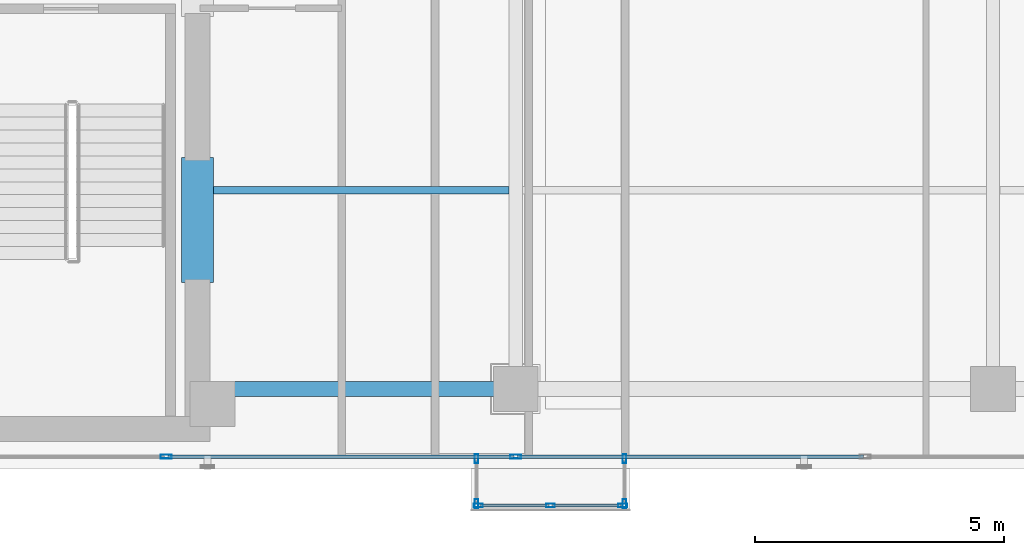
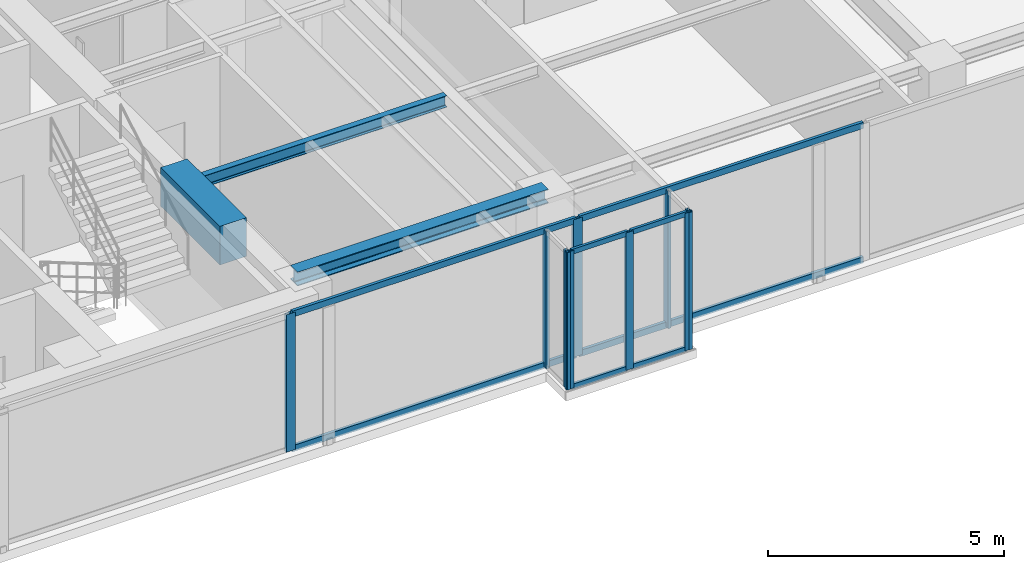
# One storey, part 4 of 22: 17 members, 3 beams, 4 elements without a shape of their own.
"""IFC4 building model written with IfcOpenShell, lengths in metres."""

from ifc_helpers import new_model, si_unit, direction, frame, origin, origin_with_axes, origin_2d, place, context, subcontext, project, spatial, rectangle, hollow_rectangle, i_section, extrude, source, transform, mapped, material, layer, layer_set, material_profile, profile_set, type_object, element, aggregate, save


model = new_model("IFC4")

# Units and contexts
model_context = context("Model", 3, precision=1e-05, world=origin(), true_north=direction((0.0, 1.0)))
body_context = subcontext(model_context, "Body", "Model", "MODEL_VIEW")
ifc_project = project(units=[si_unit("LENGTHUNIT", "METRE"), si_unit("AREAUNIT", "SQUARE_METRE"), si_unit("VOLUMEUNIT", "CUBIC_METRE"), si_unit("PLANEANGLEUNIT", "RADIAN"), si_unit("MASSUNIT", "GRAM", prefix="KILO")], contexts=[model_context])

# Site, building, storey
site_placement = place(None, origin())
site = spatial("IfcSite", under=ifc_project, at=site_placement, CompositionType="ELEMENT")
building_placement = place(site_placement, origin())
building = spatial("IfcBuilding", under=site, at=building_placement, Name="Kolvaren Waterfront Exchange", CompositionType="ELEMENT")
storey_placement = place(building_placement, frame((0.0, 0.0, 262.800048828125)))
storey = spatial("IfcBuildingStorey", under=building, at=storey_placement, Name="L67", CompositionType="ELEMENT", Elevation=262.800048828125)

# Beams
ifc_material_1 = material(Name="Steel S355", Category="steel")
ifc_material_profile_1 = material_profile(ifc_material_1, i_section(OverallWidth=0.300048828125, OverallDepth=0.360107421875, WebThickness=0.012451171875, FlangeThickness=0.0224609375, FilletRadius=0.027099609375, at=origin_2d()), Name="HEB360")
ifc_profile_set_1 = profile_set([ifc_material_profile_1], Name="Steel S355")
beam_type_1 = type_object("IfcBeamType", Name="STR-BM-HEB360", PredefinedType="SPANDREL", material=ifc_profile_set_1)
beam_1_placement = place(storey_placement, frame((21.050048828125, 5.199951171875, 3.3798828125), z_axis=(1.0, 0.0, 0.0), x_axis=(0.0, 1.0, 0.0)))
element("IfcBeam", 1, at=beam_1_placement, inside=storey, type_object=beam_type_1, Name="L67 east-arm spandrel S1", PredefinedType="SPANDREL", context=body_context, shape_type="SweptSolid", body=[
    extrude(i_section(OverallWidth=0.300048828125, OverallDepth=0.360107421875, WebThickness=0.012451171875, FlangeThickness=0.0224609375, FilletRadius=0.027099609375, at=origin_2d()), origin(), (0.0, 0.0, 1.0), 6.14990234375),
])
ifc_material_profile_2 = material_profile(ifc_material_1, i_section(OverallWidth=0.14990234375, OverallDepth=0.300048828125, WebThickness=0.007080078125, FlangeThickness=0.0107421875, FilletRadius=0.014892578125, at=origin_2d()), Name="IPE300")
ifc_profile_set_2 = profile_set([ifc_material_profile_2], Name="Steel S355")
beam_type_2 = type_object("IfcBeamType", Name="STR-BM-IPE300", PredefinedType="JOIST", material=ifc_profile_set_2)
beam_2_placement = place(storey_placement, frame((21.10009765625, 9.199951171875, 3.409912109375), z_axis=(1.0, 0.0, 0.0), x_axis=(0.0, 1.0, 0.0)))
element("IfcBeam", 2, at=beam_2_placement, inside=storey, type_object=beam_type_2, Name="L67 east-arm composite joist 1B", PredefinedType="JOIST", context=body_context, shape_type="SweptSolid", body=[
    extrude(i_section(OverallWidth=0.14990234375, OverallDepth=0.300048828125, WebThickness=0.007080078125, FlangeThickness=0.0107421875, FilletRadius=0.014892578125, at=origin_2d()), origin(), (0.0, 0.0, 1.0), 5.96435546875),
])
ifc_material_2 = material(Name="Concrete C60/75", Category="concrete")
ifc_material_profile_3 = material_profile(ifc_material_2, rectangle(XDim=0.64990234375, YDim=1.0, at=origin_2d()), Name="RC-CB-1000x650")
ifc_profile_set_3 = profile_set([ifc_material_profile_3], Name="Concrete C60/75")
beam_type_3 = type_object("IfcBeamType", Name="STR-CB-1000", PredefinedType="SPANDREL", material=ifc_profile_set_3)
beam_3_placement = place(storey_placement, frame((20.800048828125, 7.340087890625, 3.06005859375), z_axis=(0.0, 1.0, 0.0), x_axis=(-1.0, 0.0, 0.0)))
element("IfcBeam", 3, at=beam_3_placement, inside=storey, type_object=beam_type_3, Name="L67 core coupling beam 1", PredefinedType="SPANDREL", context=body_context, shape_type="SweptSolid", body=[
    extrude(rectangle(XDim=0.64990234375, YDim=1.0, at=origin_2d()), origin(), (0.0, 0.0, 1.0), 2.52001953125),
])

# Curtain wall, members
ifc_material_3 = material(Name="Anodised bronze aluminium 6063-T6", Category="aluminium")
ifc_layer_1 = layer(ifc_material_3, 0.219970703125, Name="Anodised bronze aluminium 6063-T6")
ifc_layer_set_1 = layer_set([ifc_layer_1], Name="Anodised bronze aluminium 6063-T6")
curtain_wall_type_1 = type_object("IfcCurtainWallType", Name="ARC-CW-SYS3", PredefinedType="USERDEFINED", material=ifc_layer_set_1)
curtain_wall_1_placement = place(storey_placement, origin())
curtain_wall_1 = element("IfcCurtainWall", 4, at=curtain_wall_1_placement, inside=storey, type_object=curtain_wall_type_1, Name="L67 stick curtain wall CW3 (CW-L67-BOX)", ObjectType="STICK CURTAIN WALL", PredefinedType="USERDEFINED")
ifc_material_profile_4 = material_profile(ifc_material_3, hollow_rectangle(XDim=0.06494140625, YDim=0.1298828125, WallThickness=0.00390625, at=origin_2d()), Name="ALU-TRN-130x65x4")
ifc_profile_set_4 = profile_set([ifc_material_profile_4], Name="Anodised bronze aluminium 6063-T6")
member_type_1 = type_object("IfcMemberType", Name="ARC-CWT-130", PredefinedType="USERDEFINED", material=ifc_profile_set_4)
shared_shape_1 = source(origin_with_axes(), body_context, "Body", "SweptSolid", [
    extrude(hollow_rectangle(XDim=0.06494140625, YDim=0.1298828125, WallThickness=0.00390625, at=origin_2d()), origin(), (0.0, 0.0, 1.0), 1.37744140625),
])
member_1_placement = place(storey_placement, frame((26.485107421875, 2.860107421875, 0.032470703125), z_axis=(1.0, 0.0, 0.0), x_axis=(0.0, 1.0, 0.0)))
member_1 = element("IfcMember", 5, at=member_1_placement, type_object=member_type_1, Name="CW3 transom 1.1", ObjectType="TRANSOM", PredefinedType="USERDEFINED", context=body_context, shape_type="MappedRepresentation", body=[
    mapped(shared_shape_1, transform((0.0, 0.0, 0.0), x_axis=(1.0, 0.0, 0.0), y_axis=(0.0, 1.0, 0.0), z_axis=(0.0, 0.0, 1.0), scale=1.0)),
])
member_2_placement = place(storey_placement, frame((26.485107421875, 2.860107421875, 3.52734375), z_axis=(1.0, 0.0, 0.0), x_axis=(0.0, 1.0, 0.0)))
member_2 = element("IfcMember", 6, at=member_2_placement, type_object=member_type_1, Name="CW3 transom 1.2", ObjectType="TRANSOM", PredefinedType="USERDEFINED", context=body_context, shape_type="MappedRepresentation", body=[
    mapped(shared_shape_1, transform((0.0, 0.0, 0.0), x_axis=(1.0, 0.0, 0.0), y_axis=(0.0, 1.0, 0.0), z_axis=(0.0, 0.0, 1.0), scale=1.0)),
])
member_3_placement = place(storey_placement, frame((27.9375, 2.860107421875, 0.032470703125), z_axis=(1.0, 0.0, 0.0), x_axis=(0.0, 1.0, 0.0)))
member_3 = element("IfcMember", 7, at=member_3_placement, type_object=member_type_1, Name="CW3 transom 2.1", ObjectType="TRANSOM", PredefinedType="USERDEFINED", context=body_context, shape_type="MappedRepresentation", body=[
    mapped(shared_shape_1, transform((0.0, 0.0, 0.0), x_axis=(1.0, 0.0, 0.0), y_axis=(0.0, 1.0, 0.0), z_axis=(0.0, 0.0, 1.0), scale=1.0)),
])
member_4_placement = place(storey_placement, frame((27.9375, 2.860107421875, 3.52734375), z_axis=(1.0, 0.0, 0.0), x_axis=(0.0, 1.0, 0.0)))
member_4 = element("IfcMember", 8, at=member_4_placement, type_object=member_type_1, Name="CW3 transom 2.2", ObjectType="TRANSOM", PredefinedType="USERDEFINED", context=body_context, shape_type="MappedRepresentation", body=[
    mapped(shared_shape_1, transform((0.0, 0.0, 0.0), x_axis=(1.0, 0.0, 0.0), y_axis=(0.0, 1.0, 0.0), z_axis=(0.0, 0.0, 1.0), scale=1.0)),
])

curtain_wall_2_placement = place(storey_placement, origin())
curtain_wall_2 = element("IfcCurtainWall", 9, at=curtain_wall_2_placement, inside=storey, type_object=curtain_wall_type_1, Name="L67 stick curtain wall CW3 (CW-L67-BOX-W)", ObjectType="STICK CURTAIN WALL", PredefinedType="USERDEFINED")
ifc_material_profile_5 = material_profile(ifc_material_3, hollow_rectangle(XDim=0.074951171875, YDim=0.179931640625, WallThickness=0.00439453125, at=origin_2d()), Name="ALU-MUL-180x75x4.5")
ifc_profile_set_5 = profile_set([ifc_material_profile_5], Name="Anodised bronze aluminium 6063-T6")
member_type_2 = type_object("IfcMemberType", Name="ARC-CWM-180", PredefinedType="MULLION", material=ifc_profile_set_5)
shared_shape_2 = source(origin_with_axes(), body_context, "Body", "SweptSolid", [
    extrude(hollow_rectangle(XDim=0.074951171875, YDim=0.179931640625, WallThickness=0.00439453125, at=origin_2d()), origin(), (0.0, 0.0, 1.0), 3.56005859375),
])
member_5_placement = place(storey_placement, frame((26.409912109375, 3.802490234375, 0.0), z_axis=(0.0, 0.0, 1.0), x_axis=(1.0, 0.0, 0.0)))
member_5 = element("IfcMember", 10, at=member_5_placement, type_object=member_type_2, Name="CW3 mullion 1", PredefinedType="MULLION", context=body_context, shape_type="MappedRepresentation", body=[
    mapped(shared_shape_2, transform((0.0, 0.0, 0.0), x_axis=(1.0, 0.0, 0.0), y_axis=(0.0, 1.0, 0.0), z_axis=(0.0, 0.0, 1.0), scale=1.0)),
])
member_6_placement = place(storey_placement, frame((26.409912109375, 2.8974609375, 0.0), z_axis=(0.0, 0.0, 1.0), x_axis=(1.0, 0.0, 0.0)))
member_6 = element("IfcMember", 11, at=member_6_placement, type_object=member_type_2, Name="CW3 mullion 2", PredefinedType="MULLION", context=body_context, shape_type="MappedRepresentation", body=[
    mapped(shared_shape_2, transform((0.0, 0.0, 0.0), x_axis=(1.0, 0.0, 0.0), y_axis=(0.0, 1.0, 0.0), z_axis=(0.0, 0.0, 1.0), scale=1.0)),
])
aggregate(curtain_wall_2, [member_5, member_6])

# Member
member_7_placement = place(storey_placement, frame((26.447509765625, 2.860107421875, 0.0), z_axis=(0.0, 0.0, 1.0), x_axis=(0.0, 1.0, 0.0)))
member_7 = element("IfcMember", 12, at=member_7_placement, type_object=member_type_2, Name="CW3 mullion 1", PredefinedType="MULLION", context=body_context, shape_type="MappedRepresentation", body=[
    mapped(shared_shape_2, transform((0.0, 0.0, 0.0), x_axis=(1.0, 0.0, 0.0), y_axis=(0.0, 1.0, 0.0), z_axis=(0.0, 0.0, 1.0), scale=1.0)),
])

member_8_placement = place(storey_placement, frame((27.89990234375, 2.860107421875, 0.0), z_axis=(0.0, 0.0, 1.0), x_axis=(0.0, 1.0, 0.0)))
member_8 = element("IfcMember", 13, at=member_8_placement, type_object=member_type_2, Name="CW3 mullion 2", PredefinedType="MULLION", context=body_context, shape_type="MappedRepresentation", body=[
    mapped(shared_shape_2, transform((0.0, 0.0, 0.0), x_axis=(1.0, 0.0, 0.0), y_axis=(0.0, 1.0, 0.0), z_axis=(0.0, 0.0, 1.0), scale=1.0)),
])

member_9_placement = place(storey_placement, frame((29.3525390625, 2.860107421875, 0.0), z_axis=(0.0, 0.0, 1.0), x_axis=(0.0, 1.0, 0.0)))
member_9 = element("IfcMember", 14, at=member_9_placement, type_object=member_type_2, Name="CW3 mullion 3", PredefinedType="MULLION", context=body_context, shape_type="MappedRepresentation", body=[
    mapped(shared_shape_2, transform((0.0, 0.0, 0.0), x_axis=(1.0, 0.0, 0.0), y_axis=(0.0, 1.0, 0.0), z_axis=(0.0, 0.0, 1.0), scale=1.0)),
])

aggregate(curtain_wall_1, [member_7, member_8, member_9, member_1, member_2, member_3, member_4])

# Curtain wall, members
curtain_wall_3_placement = place(storey_placement, origin())
curtain_wall_3 = element("IfcCurtainWall", 15, at=curtain_wall_3_placement, inside=storey, type_object=curtain_wall_type_1, Name="L67 stick curtain wall CW3 (CW-L67-BOX-E)", ObjectType="STICK CURTAIN WALL", PredefinedType="USERDEFINED")
member_10_placement = place(storey_placement, frame((29.389892578125, 2.8974609375, 0.0), z_axis=(0.0, 0.0, 1.0), x_axis=(-1.0, 0.0, 0.0)))
member_10 = element("IfcMember", 16, at=member_10_placement, type_object=member_type_2, Name="CW3 mullion 1", PredefinedType="MULLION", context=body_context, shape_type="MappedRepresentation", body=[
    mapped(shared_shape_2, transform((0.0, 0.0, 0.0), x_axis=(1.0, 0.0, 0.0), y_axis=(0.0, 1.0, 0.0), z_axis=(0.0, 0.0, 1.0), scale=1.0)),
])
member_11_placement = place(storey_placement, frame((29.389892578125, 3.802490234375, 0.0), z_axis=(0.0, 0.0, 1.0), x_axis=(-1.0, 0.0, 0.0)))
member_11 = element("IfcMember", 17, at=member_11_placement, type_object=member_type_2, Name="CW3 mullion 2", PredefinedType="MULLION", context=body_context, shape_type="MappedRepresentation", body=[
    mapped(shared_shape_2, transform((0.0, 0.0, 0.0), x_axis=(1.0, 0.0, 0.0), y_axis=(0.0, 1.0, 0.0), z_axis=(0.0, 0.0, 1.0), scale=1.0)),
])
aggregate(curtain_wall_3, [member_10, member_11])

ifc_layer_2 = layer(ifc_material_3, 0.219970703125, Name="Anodised bronze aluminium 6063-T6")
ifc_layer_set_2 = layer_set([ifc_layer_2], Name="Anodised bronze aluminium 6063-T6")
curtain_wall_type_2 = type_object("IfcCurtainWallType", Name="ARC-CW-SYS1", PredefinedType="USERDEFINED", material=ifc_layer_set_2)
curtain_wall_4_placement = place(storey_placement, origin())
curtain_wall_4 = element("IfcCurtainWall", 18, at=curtain_wall_4_placement, inside=storey, type_object=curtain_wall_type_2, Name="L67 stick curtain wall CW1 (CW-L67-S)", ObjectType="STICK CURTAIN WALL", PredefinedType="USERDEFINED")
ifc_material_4 = material(Name="Anodised aluminium 6063-T6", Category="aluminium")
ifc_material_profile_6 = material_profile(ifc_material_4, hollow_rectangle(XDim=0.080078125, YDim=0.219970703125, WallThickness=0.0048828125, at=origin_2d()), Name="ALU-MUL-220x80x5")
ifc_profile_set_6 = profile_set([ifc_material_profile_6], Name="Anodised aluminium 6063-T6")
member_type_3 = type_object("IfcMemberType", Name="ARC-CWM-220", PredefinedType="MULLION", material=ifc_profile_set_6)
shared_shape_3 = source(origin_with_axes(), body_context, "Body", "SweptSolid", [
    extrude(hollow_rectangle(XDim=0.080078125, YDim=0.219970703125, WallThickness=0.0048828125, at=origin_2d()), origin(), (0.0, 0.0, 1.0), 3.56005859375),
])
member_12_placement = place(storey_placement, frame((20.166748046875, 3.840087890625, 0.0), z_axis=(0.0, 0.0, 1.0), x_axis=(0.0, 1.0, 0.0)))
member_12 = element("IfcMember", 19, at=member_12_placement, type_object=member_type_3, Name="CW1 mullion 3", PredefinedType="MULLION", context=body_context, shape_type="MappedRepresentation", body=[
    mapped(shared_shape_3, transform((0.0, 0.0, 0.0), x_axis=(1.0, 0.0, 0.0), y_axis=(0.0, 1.0, 0.0), z_axis=(0.0, 0.0, 1.0), scale=1.0)),
])
member_13_placement = place(storey_placement, frame((27.199951171875, 3.840087890625, 0.0), z_axis=(0.0, 0.0, 1.0), x_axis=(0.0, 1.0, 0.0)))
member_13 = element("IfcMember", 20, at=member_13_placement, type_object=member_type_3, Name="CW1 mullion 4", PredefinedType="MULLION", context=body_context, shape_type="MappedRepresentation", body=[
    mapped(shared_shape_3, transform((0.0, 0.0, 0.0), x_axis=(1.0, 0.0, 0.0), y_axis=(0.0, 1.0, 0.0), z_axis=(0.0, 0.0, 1.0), scale=1.0)),
])
ifc_material_profile_7 = material_profile(ifc_material_4, hollow_rectangle(XDim=0.074951171875, YDim=0.159912109375, WallThickness=0.00439453125, at=origin_2d()), Name="ALU-TRN-160x75x4.5")
ifc_profile_set_7 = profile_set([ifc_material_profile_7], Name="Anodised aluminium 6063-T6")
member_type_4 = type_object("IfcMemberType", Name="ARC-CWT-160", PredefinedType="USERDEFINED", material=ifc_profile_set_7)
shared_shape_4 = source(origin_with_axes(), body_context, "Body", "SweptSolid", [
    extrude(hollow_rectangle(XDim=0.074951171875, YDim=0.159912109375, WallThickness=0.00439453125, at=origin_2d()), origin(), (0.0, 0.0, 1.0), 6.953369140625),
])
member_14_placement = place(storey_placement, frame((27.239990234375, 3.840087890625, 0.037353515625), z_axis=(1.0, 0.0, 0.0), x_axis=(0.0, 1.0, 0.0)))
member_14 = element("IfcMember", 21, at=member_14_placement, type_object=member_type_4, Name="CW1 transom 4.1", ObjectType="TRANSOM", PredefinedType="USERDEFINED", context=body_context, shape_type="MappedRepresentation", body=[
    mapped(shared_shape_4, transform((0.0, 0.0, 0.0), x_axis=(1.0, 0.0, 0.0), y_axis=(0.0, 1.0, 0.0), z_axis=(0.0, 0.0, 1.0), scale=1.0)),
])
member_15_placement = place(storey_placement, frame((27.239990234375, 3.840087890625, 3.5224609375), z_axis=(1.0, 0.0, 0.0), x_axis=(0.0, 1.0, 0.0)))
member_15 = element("IfcMember", 22, at=member_15_placement, type_object=member_type_4, Name="CW1 transom 4.2", ObjectType="TRANSOM", PredefinedType="USERDEFINED", context=body_context, shape_type="MappedRepresentation", body=[
    mapped(shared_shape_4, transform((0.0, 0.0, 0.0), x_axis=(1.0, 0.0, 0.0), y_axis=(0.0, 1.0, 0.0), z_axis=(0.0, 0.0, 1.0), scale=1.0)),
])
shared_shape_5 = source(origin_with_axes(), body_context, "Body", "SweptSolid", [
    extrude(hollow_rectangle(XDim=0.074951171875, YDim=0.159912109375, WallThickness=0.00439453125, at=origin_2d()), origin(), (0.0, 0.0, 1.0), 6.953125),
])
member_16_placement = place(storey_placement, frame((20.206787109375, 3.840087890625, 0.037353515625), z_axis=(1.0, 0.0, 0.0), x_axis=(0.0, 1.0, 0.0)))
member_16 = element("IfcMember", 23, at=member_16_placement, type_object=member_type_4, Name="CW1 transom 3.1", ObjectType="TRANSOM", PredefinedType="USERDEFINED", context=body_context, shape_type="MappedRepresentation", body=[
    mapped(shared_shape_5, transform((0.0, 0.0, 0.0), x_axis=(1.0, 0.0, 0.0), y_axis=(0.0, 1.0, 0.0), z_axis=(0.0, 0.0, 1.0), scale=1.0)),
])
member_17_placement = place(storey_placement, frame((20.206787109375, 3.840087890625, 3.5224609375), z_axis=(1.0, 0.0, 0.0), x_axis=(0.0, 1.0, 0.0)))
member_17 = element("IfcMember", 24, at=member_17_placement, type_object=member_type_4, Name="CW1 transom 3.2", ObjectType="TRANSOM", PredefinedType="USERDEFINED", context=body_context, shape_type="MappedRepresentation", body=[
    mapped(shared_shape_5, transform((0.0, 0.0, 0.0), x_axis=(1.0, 0.0, 0.0), y_axis=(0.0, 1.0, 0.0), z_axis=(0.0, 0.0, 1.0), scale=1.0)),
])
aggregate(curtain_wall_4, [member_12, member_13, member_16, member_17, member_14, member_15])

save(model, "model.ifc")
